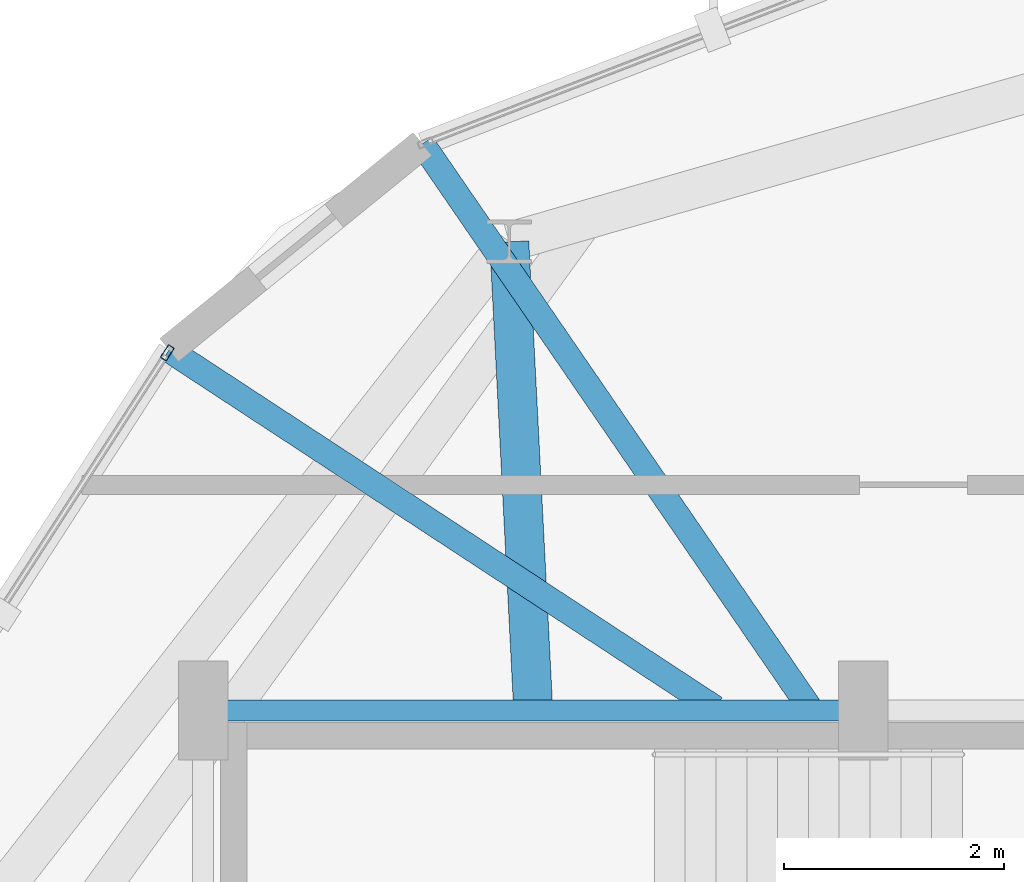
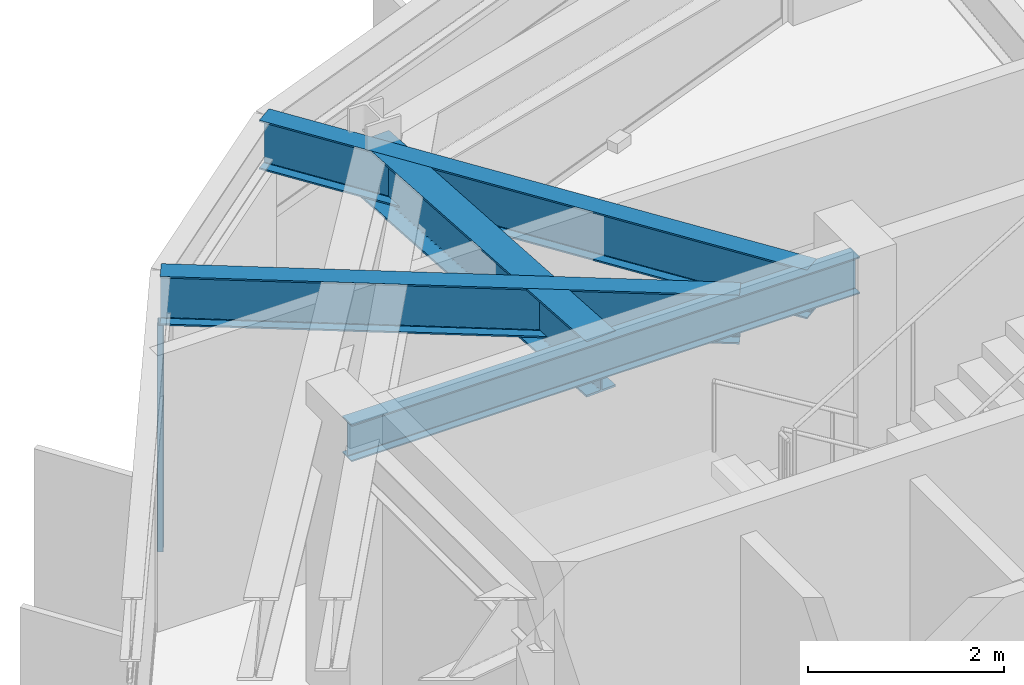
# One storey, part 10 of 26: 4 beams, 1 member, 1 element without a shape of its own.
"""IFC4 building model written with IfcOpenShell, lengths in metres."""

import ifcopenshell
import ifcopenshell.guid

model = None  # the IFC model being written
_history = None  # IfcOwnerHistory: only IFC2X3 demands one
_inside = {}  # id of a spatial element -> (the spatial element, [elements in it])
_under = {}  # id of a project, library or spatial element -> (it, [spatial elements below it])
_declared = {}  # id of a project -> (the project, [libraries it declares])
_typed = {}  # id of a type object -> (the type object, [elements of that type])
_made_of = {}  # id of a material, layer set ... -> (it, [elements and type objects made of it])


def new_model(schema):
    """Start an empty IFC model of exactly this schema.

    Asked for "IFC4X3", IfcOpenShell would pick the latest addendum, in which some entities
    have other attributes; the version numbers below select the first issue.
    IFC2X3 requires an IfcOwnerHistory on every rooted entity: one is made here for all.
    """
    global model, _history
    if schema == "IFC4X3":
        model = ifcopenshell.file(schema_version=(4, 3, 0, 0))
    else:
        model = ifcopenshell.file(schema=schema)
    _inside.clear()
    _under.clear()
    _declared.clear()
    _typed.clear()
    _made_of.clear()
    _history = None
    if model.schema == "IFC2X3":
        org = make("IfcOrganization", Name="unknown")
        user = make(
            "IfcPersonAndOrganization",
            ThePerson=make("IfcPerson", FamilyName="unknown"),
            TheOrganization=org,
        )
        app = make(
            "IfcApplication",
            ApplicationDeveloper=org,
            Version="unknown",
            ApplicationFullName="unknown",
            ApplicationIdentifier="unknown",
        )
        _history = make(
            "IfcOwnerHistory",
            OwningUser=user,
            OwningApplication=app,
            ChangeAction="ADDED",
            CreationDate=0,
        )
    return model


def make(cls, **values):
    """One entity of the class cls with the attributes given. An attribute that is None is left unset."""
    return model.create_entity(
        cls, **{name: value for name, value in values.items() if value is not None}
    )


def rooted(cls, **values):
    """An entity with a GlobalId (a new one), such as an element, a storey or a relation."""
    return make(cls, GlobalId=ifcopenshell.guid.new(), OwnerHistory=_history, **values)


def si_unit(unit_type, name, prefix=None):
    """IfcSIUnit, for example si_unit("LENGTHUNIT", "METRE", prefix="MILLI")."""
    return make("IfcSIUnit", UnitType=unit_type, Prefix=prefix, Name=name)


def assignment(units):
    """IfcUnitAssignment: the units of a project."""
    return None if units is None else make("IfcUnitAssignment", Units=units)


def point(xyz):
    """IfcCartesianPoint."""
    return None if xyz is None else make("IfcCartesianPoint", Coordinates=xyz)


def direction(xyz):
    """IfcDirection."""
    return None if xyz is None else make("IfcDirection", DirectionRatios=xyz)


def frame(location, z_axis=None, x_axis=None):
    """IfcAxis2Placement3D, a coordinate frame: its origin and axes. An axis left out is left unset."""
    return make(
        "IfcAxis2Placement3D",
        Location=point(location),
        Axis=direction(z_axis),
        RefDirection=direction(x_axis),
    )


def frame_2d(location, x_axis=None):
    """IfcAxis2Placement2D, a coordinate frame in the plane: its origin and x axis."""
    return make(
        "IfcAxis2Placement2D", Location=point(location), RefDirection=direction(x_axis)
    )


def origin():
    """The frame at (0, 0, 0) with its axes left unset."""
    return frame((0.0, 0.0, 0.0))


def origin_2d():
    """The frame at (0, 0) in the plane with its x axis left unset."""
    return frame_2d((0.0, 0.0))


def place(relative_to, where):
    """IfcLocalPlacement: puts the frame where relative to a parent placement (None: the world)."""
    return make(
        "IfcLocalPlacement", PlacementRelTo=relative_to, RelativePlacement=where
    )


def context(
    kind, dimensions, precision=None, world=None, true_north=None, identifier=None
):
    """IfcGeometricRepresentationContext, for example the 3D "Model" context."""
    return make(
        "IfcGeometricRepresentationContext",
        ContextIdentifier=identifier,
        ContextType=kind,
        CoordinateSpaceDimension=dimensions,
        Precision=precision,
        WorldCoordinateSystem=world,
        TrueNorth=true_north,
    )


def subcontext(parent, identifier, kind, view, scale=None):
    """IfcGeometricRepresentationSubContext, for example "Body" below "Model"."""
    return make(
        "IfcGeometricRepresentationSubContext",
        ContextIdentifier=identifier,
        ContextType=kind,
        ParentContext=parent,
        TargetScale=scale,
        TargetView=view,
    )


def project(units=None, contexts=None):
    """IfcProject with its units and contexts."""
    return rooted(
        "IfcProject",
        Name="project",
        RepresentationContexts=contexts,
        UnitsInContext=assignment(units),
    )


def spatial(cls, under=None, at=None, **own):
    """A site, building, storey or space (cls), placed at a placement, below another one or the project."""
    s = rooted(cls, ObjectPlacement=at, **own)
    if under is not None:
        _under.setdefault(under.id(), (under, []))[1].append(s)
    return s


def profile(cls, at=None, kind="AREA", **sizes):
    """A parametric profile (cls). Its sizes go by their IFC names, for example OverallWidth=200.0."""
    return make(cls, ProfileType=kind, Position=at, **sizes)


def hollow_rectangle(**sizes):
    """IfcRectangleHollowProfileDef."""
    return profile("IfcRectangleHollowProfileDef", **sizes)


def i_section(**sizes):
    """IfcIShapeProfileDef."""
    return profile("IfcIShapeProfileDef", **sizes)


def extrude(swept, where, along, depth):
    """IfcExtrudedAreaSolid: the profile swept, set in the frame where, extruded along a direction by depth."""
    return make(
        "IfcExtrudedAreaSolid",
        SweptArea=swept,
        Position=where,
        ExtrudedDirection=direction(along),
        Depth=depth,
    )


def shape(context_of_items, identifier, shape_type, items):
    """IfcShapeRepresentation: the items that make up one representation, for example the "Body"."""
    return make(
        "IfcShapeRepresentation",
        ContextOfItems=context_of_items,
        RepresentationIdentifier=identifier,
        RepresentationType=shape_type,
        Items=items,
    )


def material(Name=None, Category=None):
    """IfcMaterial."""
    return make("IfcMaterial", Name=Name, Category=Category)


def layer(
    of_material, thickness, ventilated=None, Name=None, Category=None, Priority=None
):
    """IfcMaterialLayer: one layer of a wall or slab, of a material (None: an air gap)."""
    return make(
        "IfcMaterialLayer",
        Material=of_material,
        LayerThickness=thickness,
        IsVentilated=ventilated,
        Name=Name,
        Category=Category,
        Priority=Priority,
    )


def layer_set(layers, Name=None):
    """IfcMaterialLayerSet."""
    return make("IfcMaterialLayerSet", MaterialLayers=layers, LayerSetName=Name)


def material_profile(
    of_material, cross_section, Name=None, Category=None, Priority=None
):
    """IfcMaterialProfile: a cross section and its material."""
    return make(
        "IfcMaterialProfile",
        Name=Name,
        Material=of_material,
        Profile=cross_section,
        Priority=Priority,
        Category=Category,
    )


def profile_set(profiles, Name=None, composite=None):
    """IfcMaterialProfileSet."""
    return make(
        "IfcMaterialProfileSet",
        Name=Name,
        MaterialProfiles=profiles,
        CompositeProfile=composite,
    )


def made_of(thing, what):
    """Note that an element or type object is made of a material, layer set ...; save() writes the relation."""
    if what is not None:
        _made_of.setdefault(what.id(), (what, []))[1].append(thing)
    return thing


def type_object(cls, material=None, **own):
    """A type object (cls), such as IfcWallType, which elements share."""
    return made_of(rooted(cls, **own), material)


def element(
    cls,
    number,
    at=None,
    inside=None,
    cuts=None,
    type_object=None,
    material=None,
    context=None,
    identifier="Body",
    shape_type=None,
    held_by="IfcProductDefinitionShape",
    body=None,
    shapes=None,
    **own,
):
    """One element of the class cls, such as IfcWall. Its Tag is "e" and its number.

    at: its placement. inside: the storey or other place that contains it. cuts: it is an
    opening in that element (IfcRelVoidsElement). A single representation is given by context,
    identifier, shape_type and body (its items); several are given by shapes. held_by: the class
    of the entity that holds the representations. save() writes the other relations.
    """
    e = rooted(cls, Tag="e%d" % number, ObjectPlacement=at, **own)
    if body is not None:
        shapes = [shape(context, identifier, shape_type, body)]
    if shapes is not None:
        e.Representation = make(held_by, Representations=shapes)
    if inside is not None:
        _inside.setdefault(inside.id(), (inside, []))[1].append(e)
    if cuts is not None:
        rooted(
            "IfcRelVoidsElement", RelatingBuildingElement=cuts, RelatedOpeningElement=e
        )
    if type_object is not None:
        _typed.setdefault(type_object.id(), (type_object, []))[1].append(e)
    return made_of(e, material)


def aggregate(whole, parts):
    """IfcRelAggregates: a whole, such as a stair, and the parts it consists of."""
    return rooted("IfcRelAggregates", RelatingObject=whole, RelatedObjects=parts)


def save(model, path):
    """Write the relations noted so far, then the file.

    IfcRelAggregates (storeys below a building ...), IfcRelContainedInSpatialStructure (elements
    in a storey), IfcRelDefinesByType, IfcRelAssociatesMaterial and IfcRelDeclares: one each for
    every whole, place, type object, material and project.
    """
    for whole, parts in _under.values():
        aggregate(whole, parts)
    for where, things in _inside.values():
        rooted(
            "IfcRelContainedInSpatialStructure",
            RelatedElements=things,
            RelatingStructure=where,
        )
    for kind, things in _typed.values():
        rooted("IfcRelDefinesByType", RelatedObjects=things, RelatingType=kind)
    for what, things in _made_of.values():
        rooted("IfcRelAssociatesMaterial", RelatedObjects=things, RelatingMaterial=what)
    for by, libraries in _declared.values():
        rooted("IfcRelDeclares", RelatingContext=by, RelatedDefinitions=libraries)
    model.write(path)


model = new_model("IFC4")

# Units and contexts
model_context = context("Model", 3, precision=1e-05, world=origin(), true_north=direction((0.0, 1.0)))
body_context = subcontext(model_context, "Body", "Model", "MODEL_VIEW")
ifc_project = project(units=[si_unit("LENGTHUNIT", "METRE"), si_unit("AREAUNIT", "SQUARE_METRE"), si_unit("VOLUMEUNIT", "CUBIC_METRE"), si_unit("PLANEANGLEUNIT", "RADIAN"), si_unit("MASSUNIT", "GRAM", prefix="KILO")], contexts=[model_context])

# Site, building, storey
site_placement = place(None, origin())
site = spatial("IfcSite", under=ifc_project, at=site_placement, CompositionType="ELEMENT")
building_placement = place(site_placement, origin())
building = spatial("IfcBuilding", under=site, at=building_placement, Name="Soratama Intermodal Tower", CompositionType="ELEMENT")
storey_placement = place(building_placement, frame((0.0, 0.0, 242.5)))
storey = spatial("IfcBuildingStorey", under=building, at=storey_placement, Name="L61", CompositionType="ELEMENT", Elevation=242.5)

# Beams
ifc_material_1 = material(Name="Structural steel ASTM A992 Grade 50", Category="steel")
ifc_material_profile_1 = material_profile(ifc_material_1, i_section(OverallWidth=0.19091796875, OverallDepth=0.4599609375, WebThickness=0.010009765625, FlangeThickness=0.01611328125, FilletRadius=0.010986328125, at=origin_2d()), Name="W18X55")
ifc_profile_set_1 = profile_set([ifc_material_profile_1], Name="Structural steel ASTM A992 Grade 50")
beam_type_1 = type_object("IfcBeamType", Name="BM-FLR-W18X55", PredefinedType="BEAM", material=ifc_profile_set_1)
beam_1_placement = place(storey_placement, frame((38.60009765625, 35.0, 3.219970703125), z_axis=(-1.0, 0.0, 0.0), x_axis=(0.0, -1.0, 0.0)))
element("IfcBeam", 1, at=beam_1_placement, inside=storey, type_object=beam_type_1, Name="BM-L61-CRING-07", PredefinedType="BEAM", context=body_context, shape_type="SweptSolid", body=[
    extrude(i_section(OverallWidth=0.19091796875, OverallDepth=0.4599609375, WebThickness=0.010009765625, FlangeThickness=0.01611328125, FilletRadius=0.010986328125, at=origin_2d()), origin(), (0.0, 0.0, 1.0), 6.0),
])
ifc_material_2 = material(Name="Structural steel ASTM A992 Grade 50", Category="steel")
ifc_material_profile_2 = material_profile(ifc_material_2, i_section(OverallWidth=0.35498046875, OverallDepth=0.695068359375, WebThickness=0.015380859375, FlangeThickness=0.02490234375, FilletRadius=0.01611328125, at=origin_2d()), Name="W27X146")
ifc_profile_set_2 = profile_set([ifc_material_profile_2], Name="Structural steel ASTM A992 Grade 50")
beam_type_2 = type_object("IfcBeamType", Name="BM-RING-W27X146", PredefinedType="BEAM", material=ifc_profile_set_2)
beam_2_placement = place(storey_placement, frame((35.60009765625, 35.0, 3.1025390625), z_axis=(-0.051122516685, 0.998692389221, 0.0), x_axis=(-0.998692389221, -0.051122516685, 0.0)))
element("IfcBeam", 2, at=beam_2_placement, inside=storey, type_object=beam_type_2, Name="BM-L61-RAD-04", PredefinedType="BEAM", context=body_context, shape_type="SweptSolid", body=[
    extrude(i_section(OverallWidth=0.35498046875, OverallDepth=0.695068359375, WebThickness=0.015380859375, FlangeThickness=0.02490234375, FilletRadius=0.01611328125, at=origin_2d()), origin(), (0.0, 0.0, 1.0), 4.2646484375),
])
ifc_material_3 = material(Name="Structural steel ASTM A992 Grade 50", Category="steel")
ifc_material_profile_3 = material_profile(ifc_material_3, i_section(OverallWidth=0.22900390625, OverallDepth=0.612060546875, WebThickness=0.011962890625, FlangeThickness=0.01953125, FilletRadius=0.012939453125, at=origin_2d()), Name="W24X84")
ifc_profile_set_3 = profile_set([ifc_material_profile_3], Name="Structural steel ASTM A992 Grade 50")
beam_type_3 = type_object("IfcBeamType", Name="BM-TIE-W24X84", PredefinedType="BEAM", material=ifc_profile_set_3)
beam_3_placement = place(storey_placement, frame((38.10693359375, 35.032958984375, 3.14404296875), z_axis=(-0.566239937061, 0.824240458651, 0.0), x_axis=(-0.824240458651, -0.566239937061, 0.0)))
element("IfcBeam", 3, at=beam_3_placement, inside=storey, type_object=beam_type_3, Name="BM-L61-TIE1-02", PredefinedType="BEAM", context=body_context, shape_type="SweptSolid", body=[
    extrude(i_section(OverallWidth=0.22900390625, OverallDepth=0.612060546875, WebThickness=0.011962890625, FlangeThickness=0.01953125, FilletRadius=0.012939453125, at=origin_2d()), origin(), (0.0, 0.0, 1.0), 6.205810546875),
])
beam_4_placement = place(storey_placement, frame((37.25390625, 35.02197265625, 3.14404296875), z_axis=(-0.836279002799, 0.548304139577, 0.0), x_axis=(-0.548304139577, -0.836279002799, 0.0)))
element("IfcBeam", 4, at=beam_4_placement, inside=storey, type_object=beam_type_3, Name="BM-L61-TIE0-03", PredefinedType="BEAM", context=body_context, shape_type="SweptSolid", body=[
    extrude(i_section(OverallWidth=0.22900390625, OverallDepth=0.612060546875, WebThickness=0.011962890625, FlangeThickness=0.01953125, FilletRadius=0.012939453125, at=origin_2d()), origin(), (0.0, 0.0, 1.0), 5.9345703125),
])

# Curtain wall, member
ifc_material_4 = material(Name="Double-glazed aluminium curtain wall", Category="aluminium")
ifc_layer = layer(ifc_material_4, 0.159912109375)
ifc_layer_set = layer_set([ifc_layer], Name="Double-glazed aluminium curtain wall")
curtain_wall_type = type_object("IfcCurtainWallType", Name="CW-SYS-5", PredefinedType="NOTDEFINED", material=ifc_layer_set)
curtain_wall_placement = place(storey_placement, origin())
curtain_wall = element("IfcCurtainWall", 5, at=curtain_wall_placement, inside=storey, type_object=curtain_wall_type, Name="L61 Faceted Curtain Wall F03", PredefinedType="NOTDEFINED")
ifc_material_5 = material(Name="Anodised aluminium AA 6063-T6", Category="aluminium")
ifc_material_profile_4 = material_profile(ifc_material_5, hollow_rectangle(XDim=0.06494140625, YDim=0.139892578125, WallThickness=0.0048828125, InnerFilletRadius=0.0048828125, OuterFilletRadius=0.010009765625, at=origin_2d()), Name="CWM140X65X5")
ifc_profile_set_4 = profile_set([ifc_material_profile_4], Name="Anodised aluminium AA 6063-T6")
member_type = type_object("IfcMemberType", Name="MT-CWM-5", PredefinedType="MULLION", material=ifc_profile_set_4)
member_placement = place(storey_placement, frame((32.275146484375, 38.25048828125, 0.0), z_axis=(0.0, 0.0, 1.0), x_axis=(0.839811540954, -0.542878048627, 0.0)))
member = element("IfcMember", 6, at=member_placement, type_object=member_type, Name="CW-5 mullion 1", PredefinedType="MULLION", context=body_context, shape_type="SweptSolid", body=[
    extrude(hollow_rectangle(XDim=0.06494140625, YDim=0.139892578125, WallThickness=0.0048828125, InnerFilletRadius=0.0048828125, OuterFilletRadius=0.010009765625, at=origin_2d()), origin(), (0.0, 0.0, 1.0), 2.8291015625),
])
aggregate(curtain_wall, [member])

save(model, "model.ifc")
